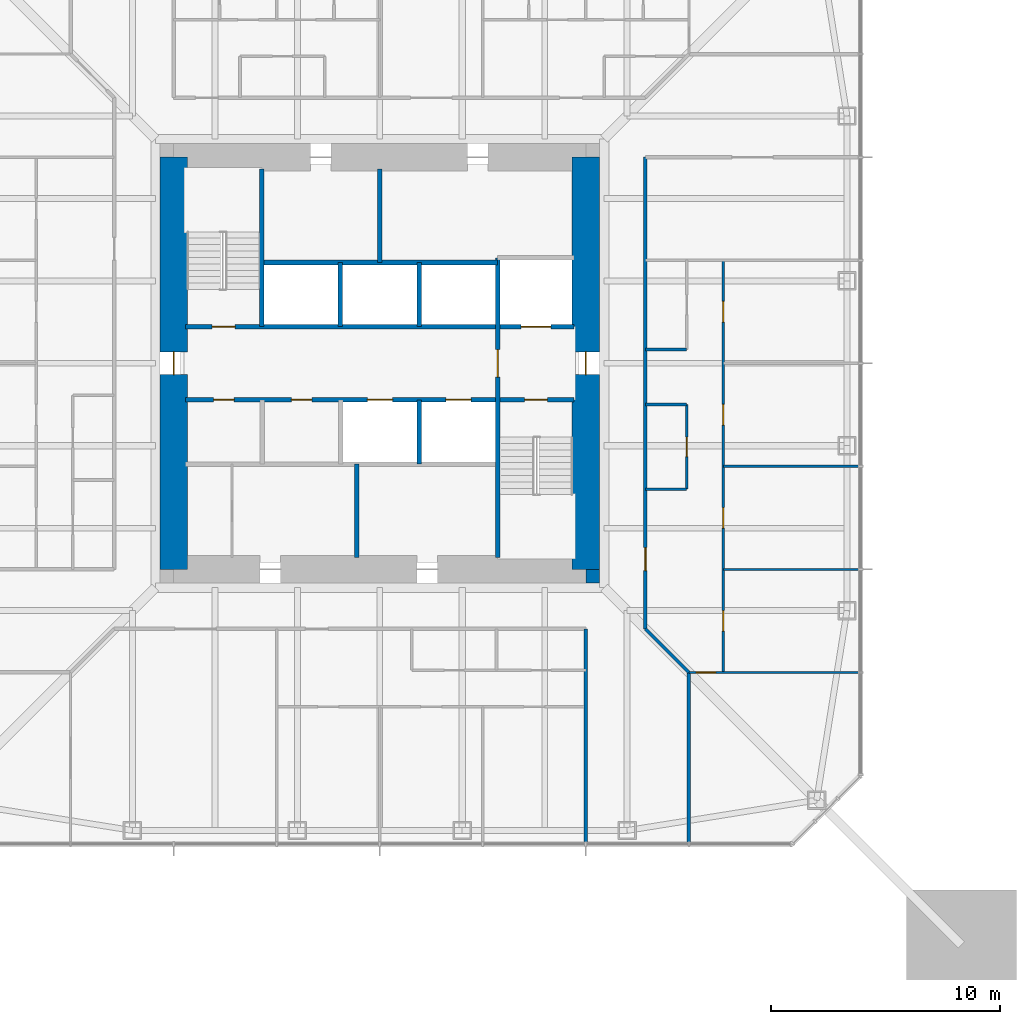
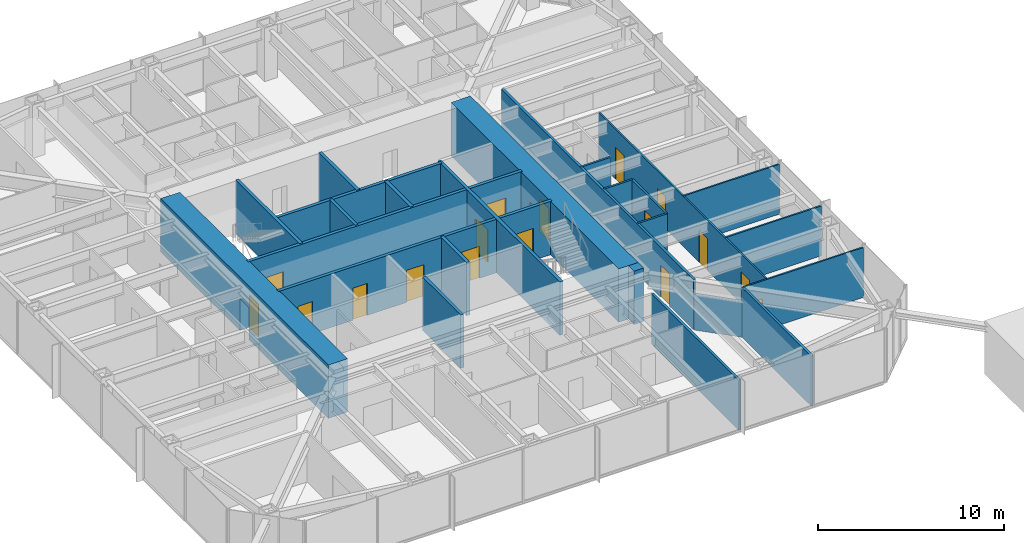
# One storey, part 14 of 25: 25 walls, 17 doors, 17 openings.
"""IFC4 building model written with IfcOpenShell, lengths in metres."""

from ifc_helpers import new_model, si_unit, direction, frame, frame_2d, origin, place, context, subcontext, project, spatial, rectangle, extrude, material, layer, layer_set, type_object, element, fill, save


model = new_model("IFC4")

# Units and contexts
model_context = context("Model", 3, precision=1e-05, world=origin(), true_north=direction((0.0, 1.0)))
body_context = subcontext(model_context, "Body", "Model", "MODEL_VIEW")
ifc_project = project(units=[si_unit("LENGTHUNIT", "METRE"), si_unit("AREAUNIT", "SQUARE_METRE"), si_unit("VOLUMEUNIT", "CUBIC_METRE"), si_unit("PLANEANGLEUNIT", "RADIAN"), si_unit("MASSUNIT", "GRAM", prefix="KILO")], contexts=[model_context])

# Site, building, storey
site_placement = place(None, origin())
site = spatial("IfcSite", under=ifc_project, at=site_placement, CompositionType="ELEMENT")
building_placement = place(site_placement, origin())
building = spatial("IfcBuilding", under=site, at=building_placement, Name="Iwan Alto Co-Living Towers", CompositionType="ELEMENT")
storey_placement = place(building_placement, frame((0.0, 0.0, 112.0)))
storey = spatial("IfcBuildingStorey", under=building, at=storey_placement, Name="L30", CompositionType="ELEMENT", Elevation=112.0)

# Wall
ifc_material_1 = material(Name="Gypsum board")
ifc_layer_1 = layer(ifc_material_1, 0.02490234375, Name="Board", Category="Finish")
ifc_material_2 = material(Name="Steel ASTM A1003 ST33H cold-formed studs", Category="steel")
ifc_layer_2 = layer(ifc_material_2, 0.10009765625, Name="Studs", Category="Framing")
ifc_layer_3 = layer(ifc_material_1, 0.02490234375, Name="Board", Category="Finish")
ifc_layer_set_1 = layer_set([ifc_layer_1, ifc_layer_2, ifc_layer_3], Name="CORRIDOR WALL 150")
wall_type_1 = type_object("IfcWallType", Name="CORRIDOR WALL 150", PredefinedType="PARTITIONING", material=ifc_layer_set_1)
wall_1_placement = place(storey_placement, frame((13.5, -20.93994140625, 0.0), z_axis=(0.0, 0.0, 1.0), x_axis=(0.0, 1.0, 0.0)))
element("IfcWall", 1, at=wall_1_placement, inside=storey, type_object=wall_type_1, Name="Partition L30", PredefinedType="PARTITIONING", context=body_context, shape_type="SweptSolid", body=[
    extrude(rectangle(XDim=7.43994140625, YDim=0.14990234375, at=frame_2d((3.719970703125, 0.0))), origin(), (0.0, 0.0, 1.0), 3.27001953125),
])

# Wall, opening, door
wall_2_placement = place(storey_placement, frame((11.60009765625, -11.60009765625, 0.0), z_axis=(0.0, 0.0, 1.0), x_axis=(0.0, 1.0, 0.0)))
wall_2 = element("IfcWall", 2, at=wall_2_placement, inside=storey, type_object=wall_type_1, Name="Partition L30", PredefinedType="PARTITIONING", context=body_context, shape_type="SweptSolid", body=[
    extrude(rectangle(XDim=20.60009765625, YDim=0.14990234375, at=frame_2d((10.300048828125, 0.0))), origin(), (0.0, 0.0, 1.0), 3.27001953125),
])
opening_1_placement = place(wall_2_placement, frame((2.550048828125, 0.0, 0.0)))
opening_1 = element("IfcOpeningElement", 3, at=opening_1_placement, cuts=wall_2, Name="Opening D3", PredefinedType="OPENING", context=body_context, shape_type="SweptSolid", body=[
    extrude(rectangle(XDim=1.0, YDim=2.10009765625, at=frame_2d((0.5, 1.050048828125))), frame((0.0, 0.0849609375, 0.0), z_axis=(0.0, -1.0, 0.0), x_axis=(1.0, 0.0, 0.0)), (0.0, 0.0, 1.0), 0.169921875),
])
ifc_material_3 = material(Name="Steel frame with timber leaf", Category="steel")
door_type_1 = type_object("IfcDoorType", Name="FLAT ENTRANCE DOOR FD30S 1000X2100", OperationType="SINGLE_SWING_LEFT", PredefinedType="DOOR", material=ifc_material_3)
door_1_placement = place(opening_1_placement, frame((1.0, 0.0, 0.0), z_axis=(0.0, 0.0, 1.0), x_axis=(-1.0, 0.0, 0.0)))
door_1 = element("IfcDoor", 4, at=door_1_placement, inside=storey, type_object=door_type_1, Name="Cluster lounge door L30", OperationType="SINGLE_SWING_LEFT", OverallHeight=2.10009765625, OverallWidth=1.0, PredefinedType="DOOR", context=body_context, shape_type="SweptSolid", body=[
    extrude(rectangle(XDim=1.0, YDim=2.10009765625, at=frame_2d((0.5, 1.050048828125))), frame((0.0, 0.02490234375, 0.0), z_axis=(0.0, -1.0, 0.0), x_axis=(1.0, 0.0, 0.0)), (0.0, 0.0, 1.0), 0.050048828125),
])
fill(opening_1, door_1)

# Walls
wall_3_placement = place(storey_placement, frame((9.0, -20.93994140625, 0.0), z_axis=(0.0, 0.0, 1.0), x_axis=(0.0, 1.0, 0.0)))
element("IfcWall", 5, at=wall_3_placement, inside=storey, type_object=wall_type_1, Name="Partition L30", PredefinedType="PARTITIONING", context=body_context, shape_type="SweptSolid", body=[
    extrude(rectangle(XDim=9.33984375, YDim=0.14990234375, at=frame_2d((4.669921875, 0.0))), origin(), (0.0, 0.0, 1.0), 3.27001953125),
])
wall_4_placement = place(storey_placement, frame((13.5, -13.5, 0.0), z_axis=(0.0, 0.0, 1.0), x_axis=(-0.707106781187, 0.707106781187, 0.0)))
element("IfcWall", 6, at=wall_4_placement, inside=storey, type_object=wall_type_1, Name="Partition L30", PredefinedType="PARTITIONING", context=body_context, shape_type="SweptSolid", body=[
    extrude(rectangle(XDim=2.686767578125, YDim=0.14990234375, at=frame_2d((1.34326171875, 0.0))), origin(), (0.0, 0.0, 1.0), 2.343017578125),
])

# Wall, opening, door
ifc_layer_4 = layer(ifc_material_1, 0.012451171875, Name="Board", Category="Finish")
ifc_layer_5 = layer(ifc_material_2, 0.074951171875, Name="Studs", Category="Framing")
ifc_layer_6 = layer(ifc_material_1, 0.012451171875, Name="Board", Category="Finish")
ifc_layer_set_2 = layer_set([ifc_layer_4, ifc_layer_5, ifc_layer_6], Name="PARTITION 100")
wall_type_2 = type_object("IfcWallType", Name="PARTITION 100", PredefinedType="PARTITIONING", material=ifc_layer_set_2)
wall_5_placement = place(storey_placement, frame((13.5, -13.5, 0.0), z_axis=(0.0, 0.0, 1.0), x_axis=(1.0, 0.0, 0.0)))
wall_5 = element("IfcWall", 7, at=wall_5_placement, inside=storey, type_object=wall_type_2, Name="Partition L30", PredefinedType="PARTITIONING", context=body_context, shape_type="SweptSolid", body=[
    extrude(rectangle(XDim=7.43994140625, YDim=0.10009765625, at=frame_2d((3.719970703125, 0.0))), origin(), (0.0, 0.0, 1.0), 3.27001953125),
])
opening_2_placement = place(wall_5_placement, frame((0.324951171875, 0.0, 0.0)))
opening_2 = element("IfcOpeningElement", 8, at=opening_2_placement, cuts=wall_5, Name="Opening D2", PredefinedType="OPENING", context=body_context, shape_type="SweptSolid", body=[
    extrude(rectangle(XDim=0.85009765625, YDim=2.10009765625, at=frame_2d((0.425048828125, 1.050048828125))), frame((0.0, 0.06005859375, 0.0), z_axis=(0.0, -1.0, 0.0), x_axis=(1.0, 0.0, 0.0)), (0.0, 0.0, 1.0), 0.1201171875),
])
ifc_material_4 = material(Name="Timber leaf in steel frame", Category="steel")
door_type_2 = type_object("IfcDoorType", Name="ROOM DOOR 850X2100", OperationType="SINGLE_SWING_LEFT", PredefinedType="DOOR", material=ifc_material_4)
door_2_placement = place(opening_2_placement, frame((0.85009765625, 0.0, 0.0), z_axis=(0.0, 0.0, 1.0), x_axis=(-1.0, 0.0, 0.0)))
door_2 = element("IfcDoor", 9, at=door_2_placement, inside=storey, type_object=door_type_2, Name="Shared kitchen and lounge door L30", OperationType="SINGLE_SWING_RIGHT", OverallHeight=2.10009765625, OverallWidth=0.85009765625, PredefinedType="DOOR", context=body_context, shape_type="SweptSolid", body=[
    extrude(rectangle(XDim=0.85009765625, YDim=2.10009765625, at=frame_2d((0.425048828125, 1.050048828125))), frame((0.0, 0.02490234375, 0.0), z_axis=(0.0, -1.0, 0.0), x_axis=(1.0, 0.0, 0.0)), (0.0, 0.0, 1.0), 0.050048828125),
])
fill(opening_2, door_2)

# Walls
for number, where, z_axis, x_axis, name in (
    (10, (15.0, -9.0, 0.0), (0.0, 0.0, 1.0), (1.0, 0.0, 0.0), "Partition L30"),
    (11, (15.0, -4.5, 0.0), (0.0, 0.0, 1.0), (1.0, 0.0, 0.0), "Partition L30"),
):
    element("IfcWall", number, at=place(storey_placement, frame(where, z_axis=z_axis, x_axis=x_axis)), inside=storey, type_object=wall_type_2, Name=name, PredefinedType="PARTITIONING", context=body_context, shape_type="SweptSolid", body=[
        extrude(rectangle(XDim=5.93994140625, YDim=0.10009765625, at=frame_2d((2.969970703125, 0.0))), origin(), (0.0, 0.0, 1.0), 3.27001953125),
    ])

# Wall, openings, doors
wall_6_placement = place(storey_placement, frame((15.0, -13.5, 0.0), z_axis=(0.0, 0.0, 1.0), x_axis=(0.0, 1.0, 0.0)))
wall_6 = element("IfcWall", 12, at=wall_6_placement, inside=storey, type_object=wall_type_2, Name="Partition L30", PredefinedType="PARTITIONING", context=body_context, shape_type="SweptSolid", body=[
    extrude(rectangle(XDim=18.0, YDim=0.10009765625, at=frame_2d((9.0, 0.0))), origin(), (0.0, 0.0, 1.0), 3.27001953125),
])
opening_3_placement = place(wall_6_placement, frame((1.800048828125, 0.0, 0.0)))
opening_3 = element("IfcOpeningElement", 13, at=opening_3_placement, cuts=wall_6, Name="Opening D1", PredefinedType="OPENING", context=body_context, shape_type="SweptSolid", body=[
    extrude(rectangle(XDim=0.89990234375, YDim=2.10009765625, at=frame_2d((0.449951171875, 1.050048828125))), frame((0.0, 0.06005859375, 0.0), z_axis=(0.0, -1.0, 0.0), x_axis=(1.0, 0.0, 0.0)), (0.0, 0.0, 1.0), 0.1201171875),
])
opening_4_placement = place(wall_6_placement, frame((6.300048828125, 0.0, 0.0)))
opening_4 = element("IfcOpeningElement", 14, at=opening_4_placement, cuts=wall_6, Name="Opening D1", PredefinedType="OPENING", context=body_context, shape_type="SweptSolid", body=[
    extrude(rectangle(XDim=0.89990234375, YDim=2.10009765625, at=frame_2d((0.449951171875, 1.050048828125))), frame((0.0, 0.06005859375, 0.0), z_axis=(0.0, -1.0, 0.0), x_axis=(1.0, 0.0, 0.0)), (0.0, 0.0, 1.0), 0.1201171875),
])
opening_5_placement = place(wall_6_placement, frame((10.800048828125, 0.0, 0.0)))
opening_5 = element("IfcOpeningElement", 15, at=opening_5_placement, cuts=wall_6, Name="Opening D1", PredefinedType="OPENING", context=body_context, shape_type="SweptSolid", body=[
    extrude(rectangle(XDim=0.89990234375, YDim=2.10009765625, at=frame_2d((0.449951171875, 1.050048828125))), frame((0.0, 0.06005859375, 0.0), z_axis=(0.0, -1.0, 0.0), x_axis=(1.0, 0.0, 0.0)), (0.0, 0.0, 1.0), 0.1201171875),
])
opening_6_placement = place(wall_6_placement, frame((15.300048828125, 0.0, 0.0)))
opening_6 = element("IfcOpeningElement", 16, at=opening_6_placement, cuts=wall_6, Name="Opening D1", PredefinedType="OPENING", context=body_context, shape_type="SweptSolid", body=[
    extrude(rectangle(XDim=0.89990234375, YDim=2.10009765625, at=frame_2d((0.449951171875, 1.050048828125))), frame((0.0, 0.06005859375, 0.0), z_axis=(0.0, -1.0, 0.0), x_axis=(1.0, 0.0, 0.0)), (0.0, 0.0, 1.0), 0.1201171875),
])
ifc_material_5 = material(Name="Timber leaf in steel frame", Category="steel")
door_type_3 = type_object("IfcDoorType", Name="BEDROOM DOOR 900X2100", OperationType="SINGLE_SWING_LEFT", PredefinedType="DOOR", material=ifc_material_5)
door_3_placement = place(opening_3_placement, origin())
door_3 = element("IfcDoor", 17, at=door_3_placement, inside=storey, type_object=door_type_3, Name="Study bedroom door L30", OperationType="SINGLE_SWING_LEFT", OverallHeight=2.10009765625, OverallWidth=0.89990234375, PredefinedType="DOOR", context=body_context, shape_type="SweptSolid", body=[
    extrude(rectangle(XDim=0.89990234375, YDim=2.10009765625, at=frame_2d((0.449951171875, 1.050048828125))), frame((0.0, 0.02490234375, 0.0), z_axis=(0.0, -1.0, 0.0), x_axis=(1.0, 0.0, 0.0)), (0.0, 0.0, 1.0), 0.050048828125),
])
fill(opening_3, door_3)
door_4_placement = place(opening_4_placement, origin())
door_4 = element("IfcDoor", 18, at=door_4_placement, inside=storey, type_object=door_type_3, Name="Study bedroom door L30", OperationType="SINGLE_SWING_LEFT", OverallHeight=2.10009765625, OverallWidth=0.89990234375, PredefinedType="DOOR", context=body_context, shape_type="SweptSolid", body=[
    extrude(rectangle(XDim=0.89990234375, YDim=2.10009765625, at=frame_2d((0.449951171875, 1.050048828125))), frame((0.0, 0.02490234375, 0.0), z_axis=(0.0, -1.0, 0.0), x_axis=(1.0, 0.0, 0.0)), (0.0, 0.0, 1.0), 0.050048828125),
])
fill(opening_4, door_4)
door_5_placement = place(opening_5_placement, origin())
door_5 = element("IfcDoor", 19, at=door_5_placement, inside=storey, type_object=door_type_3, Name="Study bedroom door L30", OperationType="SINGLE_SWING_RIGHT", OverallHeight=2.10009765625, OverallWidth=0.89990234375, PredefinedType="DOOR", context=body_context, shape_type="SweptSolid", body=[
    extrude(rectangle(XDim=0.89990234375, YDim=2.10009765625, at=frame_2d((0.449951171875, 1.050048828125))), frame((0.0, 0.02490234375, 0.0), z_axis=(0.0, -1.0, 0.0), x_axis=(1.0, 0.0, 0.0)), (0.0, 0.0, 1.0), 0.050048828125),
])
fill(opening_5, door_5)
door_6_placement = place(opening_6_placement, origin())
door_6 = element("IfcDoor", 20, at=door_6_placement, inside=storey, type_object=door_type_3, Name="Study bedroom door L30", OperationType="SINGLE_SWING_RIGHT", OverallHeight=2.10009765625, OverallWidth=0.89990234375, PredefinedType="DOOR", context=body_context, shape_type="SweptSolid", body=[
    extrude(rectangle(XDim=0.89990234375, YDim=2.10009765625, at=frame_2d((0.449951171875, 1.050048828125))), frame((0.0, 0.02490234375, 0.0), z_axis=(0.0, -1.0, 0.0), x_axis=(1.0, 0.0, 0.0)), (0.0, 0.0, 1.0), 0.050048828125),
])
fill(opening_6, door_6)

ifc_material_6 = material(Name="Concrete f'c 70 MPa", Category="concrete")
ifc_layer_7 = layer(ifc_material_6, 0.199951171875)
ifc_layer_set_3 = layer_set([ifc_layer_7], Name="SHAFT WALL 200")
wall_type_3 = type_object("IfcWallType", Name="SHAFT WALL 200", PredefinedType="SOLIDWALL", material=ifc_layer_set_3)
wall_7_placement = place(storey_placement, frame((-8.489990234375, -1.60009765625, 0.0), z_axis=(0.0, 0.0, 1.0), x_axis=(1.0, 0.0, 0.0)))
wall_7 = element("IfcWall", 21, at=wall_7_placement, inside=storey, type_object=wall_type_3, Name="Shaft wall L30", PredefinedType="SOLIDWALL", context=body_context, shape_type="SweptSolid", body=[
    extrude(rectangle(XDim=16.97998046875, YDim=0.199951171875, at=frame_2d((8.489990234375, 0.0))), origin(), (0.0, 0.0, 1.0), 3.5),
])
opening_7_placement = place(wall_7_placement, frame((14.81005859375, 0.0, 0.0)))
opening_7 = element("IfcOpeningElement", 22, at=opening_7_placement, cuts=wall_7, Name="Opening D5", PredefinedType="OPENING", context=body_context, shape_type="SweptSolid", body=[
    extrude(rectangle(XDim=1.0, YDim=2.10009765625, at=frame_2d((0.5, 1.050048828125))), frame((0.0, 0.10986328125, 0.0), z_axis=(0.0, -1.0, 0.0), x_axis=(1.0, 0.0, 0.0)), (0.0, 0.0, 1.0), 0.219970703125),
])
opening_8_placement = place(wall_7_placement, frame((1.23193359375, 0.0, 0.0)))
opening_8 = element("IfcOpeningElement", 23, at=opening_8_placement, cuts=wall_7, Name="Opening D15", PredefinedType="OPENING", context=body_context, shape_type="SweptSolid", body=[
    extrude(rectangle(XDim=0.89990234375, YDim=2.10009765625, at=frame_2d((0.449951171875, 1.050048828125))), frame((0.0, 0.10986328125, 0.0), z_axis=(0.0, -1.0, 0.0), x_axis=(1.0, 0.0, 0.0)), (0.0, 0.0, 1.0), 0.219970703125),
])
opening_9_placement = place(wall_7_placement, frame((4.626953125, 0.0, 0.0)))
opening_9 = element("IfcOpeningElement", 24, at=opening_9_placement, cuts=wall_7, Name="Opening D15", PredefinedType="OPENING", context=body_context, shape_type="SweptSolid", body=[
    extrude(rectangle(XDim=0.89990234375, YDim=2.10009765625, at=frame_2d((0.449951171875, 1.050048828125))), frame((0.0, 0.10986328125, 0.0), z_axis=(0.0, -1.0, 0.0), x_axis=(1.0, 0.0, 0.0)), (0.0, 0.0, 1.0), 0.219970703125),
])
opening_10_placement = place(wall_7_placement, frame((7.952880859375, 0.0, 0.0)))
opening_10 = element("IfcOpeningElement", 25, at=opening_10_placement, cuts=wall_7, Name="Opening LD", PredefinedType="OPENING", context=body_context, shape_type="SweptSolid", body=[
    extrude(rectangle(XDim=1.10009765625, YDim=2.10009765625, at=frame_2d((0.550048828125, 1.050048828125))), frame((0.0, 0.10986328125, 0.0), z_axis=(0.0, -1.0, 0.0), x_axis=(1.0, 0.0, 0.0)), (0.0, 0.0, 1.0), 0.219970703125),
])
opening_11_placement = place(wall_7_placement, frame((11.3779296875, 0.0, 0.0)))
opening_11 = element("IfcOpeningElement", 26, at=opening_11_placement, cuts=wall_7, Name="Opening LD", PredefinedType="OPENING", context=body_context, shape_type="SweptSolid", body=[
    extrude(rectangle(XDim=1.10009765625, YDim=2.10009765625, at=frame_2d((0.550048828125, 1.050048828125))), frame((0.0, 0.10986328125, 0.0), z_axis=(0.0, -1.0, 0.0), x_axis=(1.0, 0.0, 0.0)), (0.0, 0.0, 1.0), 0.219970703125),
])
ifc_material_7 = material(Name="Steel frame with timber leaf", Category="steel")
door_type_4 = type_object("IfcDoorType", Name="CORE ROOM DOOR FD60S 900X2100", OperationType="SINGLE_SWING_LEFT", PredefinedType="DOOR", material=ifc_material_7)
door_7_placement = place(opening_8_placement, frame((0.89990234375, 0.0, 0.0), z_axis=(0.0, 0.0, 1.0), x_axis=(-1.0, 0.0, 0.0)))
door_7 = element("IfcDoor", 27, at=door_7_placement, inside=storey, type_object=door_type_4, Name="Linen store door L30", OperationType="SINGLE_SWING_LEFT", OverallHeight=2.10009765625, OverallWidth=0.89990234375, PredefinedType="DOOR", context=body_context, shape_type="SweptSolid", body=[
    extrude(rectangle(XDim=0.89990234375, YDim=2.10009765625, at=frame_2d((0.449951171875, 1.050048828125))), frame((0.0, 0.02490234375, 0.0), z_axis=(0.0, -1.0, 0.0), x_axis=(1.0, 0.0, 0.0)), (0.0, 0.0, 1.0), 0.050048828125),
])
fill(opening_8, door_7)
door_8_placement = place(opening_9_placement, frame((0.89990234375, 0.0, 0.0), z_axis=(0.0, 0.0, 1.0), x_axis=(-1.0, 0.0, 0.0)))
door_8 = element("IfcDoor", 28, at=door_8_placement, inside=storey, type_object=door_type_4, Name="Cleaner's store door L30", OperationType="SINGLE_SWING_RIGHT", OverallHeight=2.10009765625, OverallWidth=0.89990234375, PredefinedType="DOOR", context=body_context, shape_type="SweptSolid", body=[
    extrude(rectangle(XDim=0.89990234375, YDim=2.10009765625, at=frame_2d((0.449951171875, 1.050048828125))), frame((0.0, 0.02490234375, 0.0), z_axis=(0.0, -1.0, 0.0), x_axis=(1.0, 0.0, 0.0)), (0.0, 0.0, 1.0), 0.050048828125),
])
fill(opening_9, door_8)
ifc_material_8 = material(Name="Steel frame with timber leaf", Category="steel")
door_type_5 = type_object("IfcDoorType", Name="LIFT LANDING DOOR 1100X2100", OperationType="DOUBLE_DOOR_SLIDING", PredefinedType="DOOR", material=ifc_material_8)
door_9_placement = place(opening_10_placement, origin())
door_9 = element("IfcDoor", 29, at=door_9_placement, inside=storey, type_object=door_type_5, Name="Lift P2-3 landing door L30", OperationType="DOUBLE_DOOR_SLIDING", OverallHeight=2.10009765625, OverallWidth=1.10009765625, PredefinedType="DOOR", context=body_context, shape_type="SweptSolid", body=[
    extrude(rectangle(XDim=1.10009765625, YDim=2.10009765625, at=frame_2d((0.550048828125, 1.050048828125))), frame((0.0, 0.02490234375, 0.0), z_axis=(0.0, -1.0, 0.0), x_axis=(1.0, 0.0, 0.0)), (0.0, 0.0, 1.0), 0.050048828125),
])
fill(opening_10, door_9)
door_10_placement = place(opening_11_placement, origin())
door_10 = element("IfcDoor", 30, at=door_10_placement, inside=storey, type_object=door_type_5, Name="Lift P2-4 landing door L30", OperationType="DOUBLE_DOOR_SLIDING", OverallHeight=2.10009765625, OverallWidth=1.10009765625, PredefinedType="DOOR", context=body_context, shape_type="SweptSolid", body=[
    extrude(rectangle(XDim=1.10009765625, YDim=2.10009765625, at=frame_2d((0.550048828125, 1.050048828125))), frame((0.0, 0.02490234375, 0.0), z_axis=(0.0, -1.0, 0.0), x_axis=(1.0, 0.0, 0.0)), (0.0, 0.0, 1.0), 0.050048828125),
])
fill(opening_11, door_10)
ifc_material_9 = material(Name="Steel frame with timber leaf", Category="steel")
door_type_6 = type_object("IfcDoorType", Name="STAIR DOOR FD120S 1000X2100", OperationType="SINGLE_SWING_LEFT", PredefinedType="DOOR", material=ifc_material_9)
door_11_placement = place(opening_7_placement, frame((1.0, 0.0, 0.0), z_axis=(0.0, 0.0, 1.0), x_axis=(-1.0, 0.0, 0.0)))
door_11 = element("IfcDoor", 31, at=door_11_placement, inside=storey, type_object=door_type_6, Name="Stair S2 door L30", OperationType="SINGLE_SWING_RIGHT", OverallHeight=2.10009765625, OverallWidth=1.0, PredefinedType="DOOR", context=body_context, shape_type="SweptSolid", body=[
    extrude(rectangle(XDim=1.0, YDim=2.10009765625, at=frame_2d((0.5, 1.050048828125))), frame((0.0, 0.02490234375, 0.0), z_axis=(0.0, -1.0, 0.0), x_axis=(1.0, 0.0, 0.0)), (0.0, 0.0, 1.0), 0.050048828125),
])
fill(opening_7, door_11)

wall_8_placement = place(storey_placement, frame((-8.489990234375, 1.60009765625, 0.0), z_axis=(0.0, 0.0, 1.0), x_axis=(1.0, 0.0, 0.0)))
wall_8 = element("IfcWall", 32, at=wall_8_placement, inside=storey, type_object=wall_type_3, Name="Shaft wall L30", PredefinedType="SOLIDWALL", context=body_context, shape_type="SweptSolid", body=[
    extrude(rectangle(XDim=16.97998046875, YDim=0.199951171875, at=frame_2d((8.489990234375, 0.0))), origin(), (0.0, 0.0, 1.0), 3.5),
])
opening_12_placement = place(wall_8_placement, frame((1.169921875, 0.0, 0.0)))
opening_12 = element("IfcOpeningElement", 33, at=opening_12_placement, cuts=wall_8, Name="Opening D5", PredefinedType="OPENING", context=body_context, shape_type="SweptSolid", body=[
    extrude(rectangle(XDim=1.0, YDim=2.10009765625, at=frame_2d((0.5, 1.050048828125))), frame((0.0, 0.10986328125, 0.0), z_axis=(0.0, -1.0, 0.0), x_axis=(1.0, 0.0, 0.0)), (0.0, 0.0, 1.0), 0.219970703125),
])
opening_13_placement = place(wall_8_placement, frame((14.659912109375, 0.0, 0.0)))
opening_13 = element("IfcOpeningElement", 34, at=opening_13_placement, cuts=wall_8, Name="Opening LD2", PredefinedType="OPENING", context=body_context, shape_type="SweptSolid", body=[
    extrude(rectangle(XDim=1.300048828125, YDim=2.10009765625, at=frame_2d((0.64990234375, 1.050048828125))), frame((0.0, 0.10986328125, 0.0), z_axis=(0.0, -1.0, 0.0), x_axis=(1.0, 0.0, 0.0)), (0.0, 0.0, 1.0), 0.219970703125),
])
ifc_material_10 = material(Name="Steel frame with timber leaf", Category="steel")
door_type_7 = type_object("IfcDoorType", Name="LIFT LANDING DOOR 1300X2100", OperationType="SLIDING_TO_LEFT", PredefinedType="DOOR", material=ifc_material_10)
door_12_placement = place(opening_13_placement, origin())
door_12 = element("IfcDoor", 35, at=door_12_placement, inside=storey, type_object=door_type_7, Name="Lift FL1 landing door L30", OperationType="SLIDING_TO_LEFT", OverallHeight=2.10009765625, OverallWidth=1.300048828125, PredefinedType="DOOR", context=body_context, shape_type="SweptSolid", body=[
    extrude(rectangle(XDim=1.300048828125, YDim=2.10009765625, at=frame_2d((0.64990234375, 1.050048828125))), frame((0.0, 0.02490234375, 0.0), z_axis=(0.0, -1.0, 0.0), x_axis=(1.0, 0.0, 0.0)), (0.0, 0.0, 1.0), 0.050048828125),
])
fill(opening_13, door_12)
door_13_placement = place(opening_12_placement, origin())
door_13 = element("IfcDoor", 36, at=door_13_placement, inside=storey, type_object=door_type_6, Name="Stair S1 door L30", OperationType="SINGLE_SWING_RIGHT", OverallHeight=2.10009765625, OverallWidth=1.0, PredefinedType="DOOR", context=body_context, shape_type="SweptSolid", body=[
    extrude(rectangle(XDim=1.0, YDim=2.10009765625, at=frame_2d((0.5, 1.050048828125))), frame((0.0, 0.02490234375, 0.0), z_axis=(0.0, -1.0, 0.0), x_axis=(1.0, 0.0, 0.0)), (0.0, 0.0, 1.0), 0.050048828125),
])
fill(opening_12, door_13)

# Wall
wall_9_placement = place(storey_placement, frame((-5.14990234375, 4.39990234375, 0.0), z_axis=(0.0, 0.0, 1.0), x_axis=(1.0, 0.0, 0.0)))
element("IfcWall", 37, at=wall_9_placement, inside=storey, type_object=wall_type_3, Name="Shaft wall L30", PredefinedType="SOLIDWALL", context=body_context, shape_type="SweptSolid", body=[
    extrude(rectangle(XDim=10.2998046875, YDim=0.199951171875, at=frame_2d((5.14990234375, 0.0))), origin(), (0.0, 0.0, 1.0), 3.5),
])

# Wall, opening, door
wall_10_placement = place(storey_placement, frame((5.14990234375, -8.489990234375, 0.0), z_axis=(0.0, 0.0, 1.0), x_axis=(0.0, 1.0, 0.0)))
wall_10 = element("IfcWall", 38, at=wall_10_placement, inside=storey, type_object=wall_type_3, Name="Shaft wall L30", PredefinedType="SOLIDWALL", context=body_context, shape_type="SweptSolid", body=[
    extrude(rectangle(XDim=13.090087890625, YDim=0.199951171875, at=frame_2d((6.544921875, 0.0))), origin(), (0.0, 0.0, 1.0), 3.5),
])
opening_14_placement = place(wall_10_placement, frame((7.889892578125, 0.0, 0.0)))
opening_14 = element("IfcOpeningElement", 39, at=opening_14_placement, cuts=wall_10, Name="Opening D6", PredefinedType="OPENING", context=body_context, shape_type="SweptSolid", body=[
    extrude(rectangle(XDim=1.199951171875, YDim=2.10009765625, at=frame_2d((0.60009765625, 1.050048828125))), frame((0.0, 0.10986328125, 0.0), z_axis=(0.0, -1.0, 0.0), x_axis=(1.0, 0.0, 0.0)), (0.0, 0.0, 1.0), 0.219970703125),
])
ifc_material_11 = material(Name="Steel frame with timber leaf", Category="steel")
door_type_8 = type_object("IfcDoorType", Name="LOBBY DOOR FD120S 1200X2100", OperationType="SINGLE_SWING_LEFT", PredefinedType="DOOR", material=ifc_material_11)
door_14_placement = place(opening_14_placement, frame((1.199951171875, 0.0, 0.0), z_axis=(0.0, 0.0, 1.0), x_axis=(-1.0, 0.0, 0.0)))
door_14 = element("IfcDoor", 40, at=door_14_placement, inside=storey, type_object=door_type_8, Name="Firefighting lobby door L30", OperationType="SINGLE_SWING_RIGHT", OverallHeight=2.10009765625, OverallWidth=1.199951171875, PredefinedType="DOOR", context=body_context, shape_type="SweptSolid", body=[
    extrude(rectangle(XDim=1.199951171875, YDim=2.10009765625, at=frame_2d((0.60009765625, 1.050048828125))), frame((0.0, 0.02490234375, 0.0), z_axis=(0.0, -1.0, 0.0), x_axis=(1.0, 0.0, 0.0)), (0.0, 0.0, 1.0), 0.050048828125),
])
fill(opening_14, door_14)

# Walls
for number, where, z_axis, x_axis, name in (
    (41, (1.72509765625, -4.39990234375, 0.0), (0.0, 0.0, 1.0), (0.0, 1.0, 0.0), "Shaft wall L30"),
    (42, (1.717041015625, 1.60009765625, 0.0), (0.0, 0.0, 1.0), (0.0, 1.0, 0.0), "Shaft wall L30"),
):
    element("IfcWall", number, at=place(storey_placement, frame(where, z_axis=z_axis, x_axis=x_axis)), inside=storey, type_object=wall_type_3, Name=name, PredefinedType="SOLIDWALL", context=body_context, shape_type="SweptSolid", body=[
        extrude(rectangle(XDim=2.7998046875, YDim=0.199951171875, at=frame_2d((1.39990234375, 0.0))), origin(), (0.0, 0.0, 1.0), 3.5),
    ])
for number, where, z_axis, x_axis, name in (
    (43, (0.0, 4.39990234375, 0.0), (0.0, 0.0, 1.0), (0.0, 1.0, 0.0), "Shaft wall L30"),
    (44, (-1.0, -8.489990234375, 0.0), (0.0, 0.0, 1.0), (0.0, 1.0, 0.0), "Shaft wall L30"),
):
    element("IfcWall", number, at=place(storey_placement, frame(where, z_axis=z_axis, x_axis=x_axis)), inside=storey, type_object=wall_type_3, Name=name, PredefinedType="SOLIDWALL", context=body_context, shape_type="SweptSolid", body=[
        extrude(rectangle(XDim=4.090087890625, YDim=0.199951171875, at=frame_2d((2.044921875, 0.0))), origin(), (0.0, 0.0, 1.0), 3.5),
    ])
wall_11_placement = place(storey_placement, frame((-1.717041015625, 1.60009765625, 0.0), z_axis=(0.0, 0.0, 1.0), x_axis=(0.0, 1.0, 0.0)))
element("IfcWall", 45, at=wall_11_placement, inside=storey, type_object=wall_type_3, Name="Shaft wall L30", PredefinedType="SOLIDWALL", context=body_context, shape_type="SweptSolid", body=[
    extrude(rectangle(XDim=2.7998046875, YDim=0.199951171875, at=frame_2d((1.39990234375, 0.0))), origin(), (0.0, 0.0, 1.0), 3.5),
])
wall_12_placement = place(storey_placement, frame((-5.14990234375, 1.60009765625, 0.0), z_axis=(0.0, 0.0, 1.0), x_axis=(0.0, 1.0, 0.0)))
element("IfcWall", 46, at=wall_12_placement, inside=storey, type_object=wall_type_3, Name="Shaft wall L30", PredefinedType="SOLIDWALL", context=body_context, shape_type="SweptSolid", body=[
    extrude(rectangle(XDim=6.889892578125, YDim=0.199951171875, at=frame_2d((3.44482421875, 0.0))), origin(), (0.0, 0.0, 1.0), 3.5),
])
ifc_material_12 = material(Name="Concrete f'c 70 MPa", Category="concrete")
ifc_layer_8 = layer(ifc_material_12, 0.60009765625)
ifc_layer_set_4 = layer_set([ifc_layer_8], Name="T1 CORE CORNER FILL 600")
wall_type_4 = type_object("IfcWallType", Name="T1 CORE CORNER FILL 600", PredefinedType="SOLIDWALL", material=ifc_layer_set_4)
wall_13_placement = place(storey_placement, frame((9.0, -9.300048828125, 0.0), z_axis=(0.0, 0.0, 1.0), x_axis=(1.0, 0.0, 0.0)))
element("IfcWall", 47, at=wall_13_placement, inside=storey, type_object=wall_type_4, Name="T1 core corner SE L30", PredefinedType="SOLIDWALL", context=body_context, shape_type="SweptSolid", body=[
    extrude(rectangle(XDim=0.60009765625, YDim=0.60009765625, at=frame_2d((0.300048828125, 0.0))), origin(), (0.0, 0.0, 1.0), 3.5),
])

# Wall, opening, door
ifc_material_13 = material(Name="Concrete f'c 70 MPa", Category="concrete")
ifc_layer_9 = layer(ifc_material_13, 1.199951171875)
ifc_layer_set_5 = layer_set([ifc_layer_9], Name="T1 CORE WALL 1200")
wall_type_5 = type_object("IfcWallType", Name="T1 CORE WALL 1200", PredefinedType="SHEAR", material=ifc_layer_set_5)
wall_14_placement = place(storey_placement, frame((9.0, -9.0, 0.0), z_axis=(0.0, 0.0, 1.0), x_axis=(0.0, 1.0, 0.0)))
wall_14 = element("IfcWall", 48, at=wall_14_placement, inside=storey, type_object=wall_type_5, Name="T1 core wall E L30", PredefinedType="SHEAR", context=body_context, shape_type="SweptSolid", body=[
    extrude(rectangle(XDim=18.0, YDim=1.199951171875, at=frame_2d((9.0, 0.0))), origin(), (0.0, 0.0, 1.0), 3.5),
])
opening_15_placement = place(wall_14_placement, frame((8.5, 0.0, 0.0)))
opening_15 = element("IfcOpeningElement", 49, at=opening_15_placement, cuts=wall_14, Name="Opening D7", PredefinedType="OPENING", context=body_context, shape_type="SweptSolid", body=[
    extrude(rectangle(XDim=1.0, YDim=2.10009765625, at=frame_2d((0.5, 1.050048828125))), frame((0.0, 0.60986328125, 0.0), z_axis=(0.0, -1.0, 0.0), x_axis=(1.0, 0.0, 0.0)), (0.0, 0.0, 1.0), 1.219970703125),
])
ifc_material_14 = material(Name="Steel frame with timber leaf", Category="steel")
door_type_9 = type_object("IfcDoorType", Name="CORE DOOR FD120S 1000X2100", OperationType="SINGLE_SWING_LEFT", PredefinedType="DOOR", material=ifc_material_14)
door_15_placement = place(opening_15_placement, origin())
door_15 = element("IfcDoor", 50, at=door_15_placement, inside=storey, type_object=door_type_9, Name="Firefighting lobby core door L30", OperationType="SINGLE_SWING_LEFT", OverallHeight=2.10009765625, OverallWidth=1.0, PredefinedType="DOOR", context=body_context, shape_type="SweptSolid", body=[
    extrude(rectangle(XDim=1.0, YDim=2.10009765625, at=frame_2d((0.5, 1.050048828125))), frame((0.0, 0.02490234375, 0.0), z_axis=(0.0, -1.0, 0.0), x_axis=(1.0, 0.0, 0.0)), (0.0, 0.0, 1.0), 0.050048828125),
])
fill(opening_15, door_15)

wall_15_placement = place(storey_placement, frame((-9.0, 9.0, 0.0), z_axis=(0.0, 0.0, 1.0), x_axis=(0.0, -1.0, 0.0)))
wall_15 = element("IfcWall", 51, at=wall_15_placement, inside=storey, type_object=wall_type_5, Name="T1 core wall W L30", PredefinedType="SHEAR", context=body_context, shape_type="SweptSolid", body=[
    extrude(rectangle(XDim=18.0, YDim=1.199951171875, at=frame_2d((9.0, 0.0))), origin(), (0.0, 0.0, 1.0), 3.5),
])
opening_16_placement = place(wall_15_placement, frame((8.5, 0.0, 0.0)))
opening_16 = element("IfcOpeningElement", 52, at=opening_16_placement, cuts=wall_15, Name="Opening D7", PredefinedType="OPENING", context=body_context, shape_type="SweptSolid", body=[
    extrude(rectangle(XDim=1.0, YDim=2.10009765625, at=frame_2d((0.5, 1.050048828125))), frame((0.0, 0.60986328125, 0.0), z_axis=(0.0, -1.0, 0.0), x_axis=(1.0, 0.0, 0.0)), (0.0, 0.0, 1.0), 1.219970703125),
])
door_16_placement = place(opening_16_placement, origin())
door_16 = element("IfcDoor", 53, at=door_16_placement, inside=storey, type_object=door_type_9, Name="Lift lobby core door L30", OperationType="SINGLE_SWING_RIGHT", OverallHeight=2.10009765625, OverallWidth=1.0, PredefinedType="DOOR", context=body_context, shape_type="SweptSolid", body=[
    extrude(rectangle(XDim=1.0, YDim=2.10009765625, at=frame_2d((0.5, 1.050048828125))), frame((0.0, 0.02490234375, 0.0), z_axis=(0.0, -1.0, 0.0), x_axis=(1.0, 0.0, 0.0)), (0.0, 0.0, 1.0), 0.050048828125),
])
fill(opening_16, door_16)

# Walls
ifc_material_15 = material(Name="Cement board")
ifc_layer_10 = layer(ifc_material_15, 0.012451171875, Name="Board", Category="Finish")
ifc_layer_11 = layer(ifc_material_2, 0.094970703125, Name="Studs", Category="Framing")
ifc_layer_12 = layer(ifc_material_15, 0.012451171875, Name="Board", Category="Finish")
ifc_layer_set_6 = layer_set([ifc_layer_10, ifc_layer_11, ifc_layer_12], Name="WET AREA PARTITION 120")
wall_type_6 = type_object("IfcWallType", Name="WET AREA PARTITION 120", PredefinedType="PARTITIONING", material=ifc_layer_set_6)
for number, where, z_axis, x_axis, name in (
    (54, (11.60009765625, -5.5, 0.0), (0.0, 0.0, 1.0), (1.0, 0.0, 0.0), "Partition L30"),
    (55, (11.60009765625, -1.800048828125, 0.0), (0.0, 0.0, 1.0), (1.0, 0.0, 0.0), "Partition L30"),
    (56, (11.60009765625, 0.60009765625, 0.0), (0.0, 0.0, 1.0), (1.0, 0.0, 0.0), "Partition L30"),
):
    element("IfcWall", number, at=place(storey_placement, frame(where, z_axis=z_axis, x_axis=x_axis)), inside=storey, type_object=wall_type_6, Name=name, PredefinedType="PARTITIONING", context=body_context, shape_type="SweptSolid", body=[
        extrude(rectangle(XDim=1.7998046875, YDim=0.1201171875, at=frame_2d((0.89990234375, 0.0))), origin(), (0.0, 0.0, 1.0), 3.27001953125),
    ])

# Wall, opening, door
wall_16_placement = place(storey_placement, frame((13.39990234375, -5.5, 0.0), z_axis=(0.0, 0.0, 1.0), x_axis=(0.0, 1.0, 0.0)))
wall_16 = element("IfcWall", 57, at=wall_16_placement, inside=storey, type_object=wall_type_6, Name="Partition L30", PredefinedType="PARTITIONING", context=body_context, shape_type="SweptSolid", body=[
    extrude(rectangle(XDim=3.699951171875, YDim=0.1201171875, at=frame_2d((1.85009765625, 0.0))), origin(), (0.0, 0.0, 1.0), 3.27001953125),
])
opening_17_placement = place(wall_16_placement, frame((1.425048828125, 0.0, 0.0)))
opening_17 = element("IfcOpeningElement", 58, at=opening_17_placement, cuts=wall_16, Name="Opening D2", PredefinedType="OPENING", context=body_context, shape_type="SweptSolid", body=[
    extrude(rectangle(XDim=0.85009765625, YDim=2.10009765625, at=frame_2d((0.425048828125, 1.050048828125))), frame((0.0, 0.070068359375, 0.0), z_axis=(0.0, -1.0, 0.0), x_axis=(1.0, 0.0, 0.0)), (0.0, 0.0, 1.0), 0.14013671875),
])
door_17_placement = place(opening_17_placement, frame((0.85009765625, 0.0, 0.0), z_axis=(0.0, 0.0, 1.0), x_axis=(-1.0, 0.0, 0.0)))
door_17 = element("IfcDoor", 59, at=door_17_placement, inside=storey, type_object=door_type_2, Name="Accessible bathroom door L30", OperationType="SINGLE_SWING_LEFT", OverallHeight=2.10009765625, OverallWidth=0.85009765625, PredefinedType="DOOR", context=body_context, shape_type="SweptSolid", body=[
    extrude(rectangle(XDim=0.85009765625, YDim=2.10009765625, at=frame_2d((0.425048828125, 1.050048828125))), frame((0.0, 0.02490234375, 0.0), z_axis=(0.0, -1.0, 0.0), x_axis=(1.0, 0.0, 0.0)), (0.0, 0.0, 1.0), 0.050048828125),
])
fill(opening_17, door_17)

save(model, "model.ifc")
